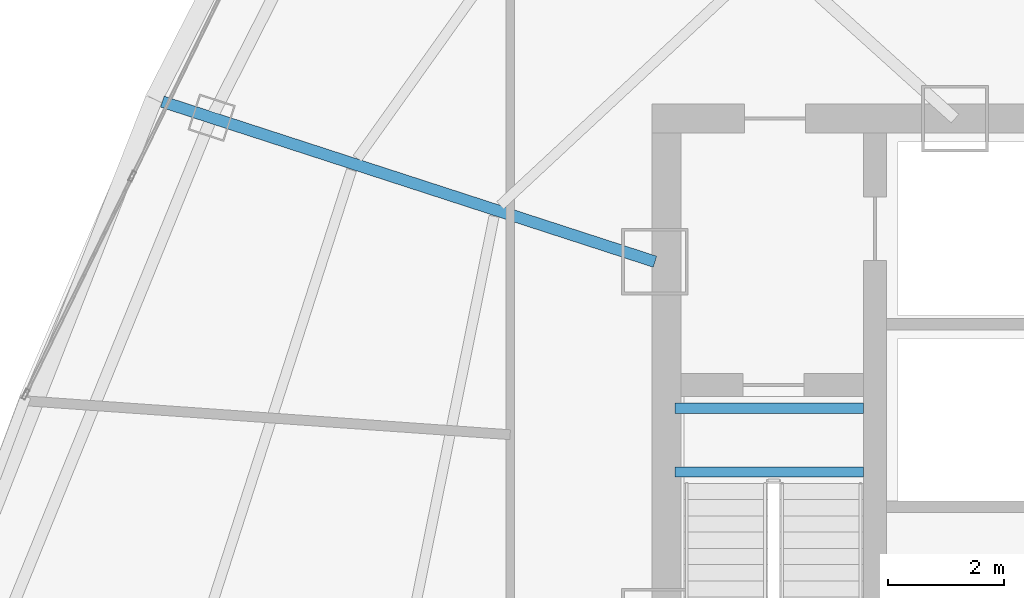
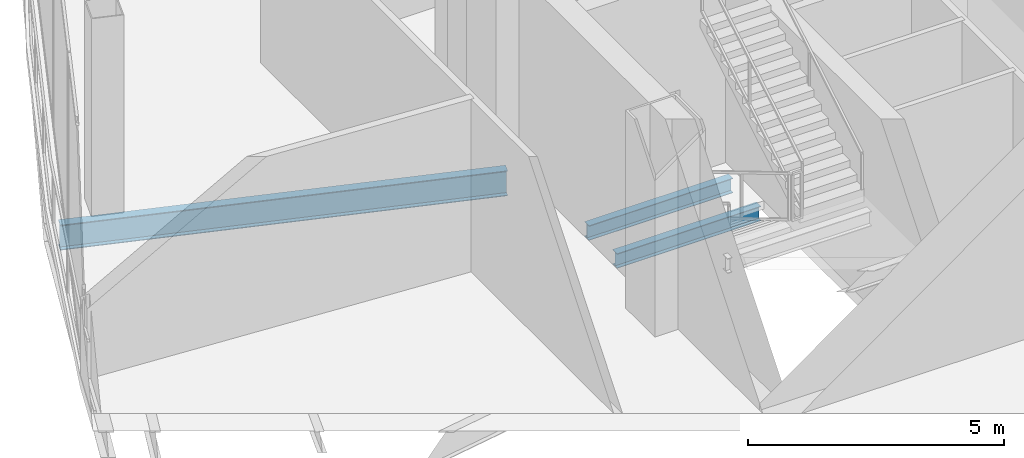
# One storey, part 7 of 33: 3 beams.
"""IFC4 building model written with IfcOpenShell, lengths in metres."""

from ifc_helpers import new_model, si_unit, direction, frame, origin, origin_2d, place, context, subcontext, project, spatial, i_section, extrude, source, transform, mapped, material, material_profile, profile_set, type_object, element, save


model = new_model("IFC4")

# Units and contexts
model_context = context("Model", 3, precision=1e-05, world=origin(), true_north=direction((0.0, 1.0)))
body_context = subcontext(model_context, "Body", "Model", "MODEL_VIEW")
ifc_project = project(units=[si_unit("LENGTHUNIT", "METRE"), si_unit("AREAUNIT", "SQUARE_METRE"), si_unit("VOLUMEUNIT", "CUBIC_METRE"), si_unit("PLANEANGLEUNIT", "RADIAN"), si_unit("MASSUNIT", "GRAM", prefix="KILO"), si_unit("THERMODYNAMICTEMPERATUREUNIT", "KELVIN"), si_unit("POWERUNIT", "WATT")], contexts=[model_context])

# Site, building, storey
site_placement = place(None, origin())
site = spatial("IfcSite", under=ifc_project, at=site_placement, CompositionType="ELEMENT")
building_placement = place(site_placement, origin())
building = spatial("IfcBuilding", under=site, at=building_placement, Name="Yunzhuo Pagoda Commons", CompositionType="ELEMENT")
storey_placement = place(building_placement, frame((0.0, 0.0, 391.760009765625)))
storey = spatial("IfcBuildingStorey", under=building, at=storey_placement, Name="L97", CompositionType="ELEMENT", Elevation=391.760009765625)

# Beams
ifc_material = material(Name="Structural steel Q355B", Category="steel")
ifc_material_profile_1 = material_profile(ifc_material, i_section(OverallWidth=0.175048828125, OverallDepth=0.35009765625, WebThickness=0.007080078125, FlangeThickness=0.010986328125, at=origin_2d()), Name="Structural steel Q355B")
ifc_profile_set_1 = profile_set([ifc_material_profile_1], Name="Structural steel Q355B")
beam_type_1 = type_object("IfcBeamType", Name="B-JS2 Joist HN 350x175x7x11", PredefinedType="JOIST", material=ifc_profile_set_1)
shared_shape_1 = source(origin(), body_context, "Body", "SweptSolid", [
    extrude(i_section(OverallWidth=0.175048828125, OverallDepth=0.35009765625, WebThickness=0.007080078125, FlangeThickness=0.010986328125, at=origin_2d()), origin(), (0.0, 0.0, 1.0), 3.25),
])
for number, where, z_axis, x_axis, name in (
    (1, (35.949951171875, 34.10009765625, -0.375), (1.0, 0.0, 0.0), (0.0, 1.0, 0.0), "L97 ST1 landing support beam 201A"),
    (2, (35.949951171875, 35.199951171875, -0.375), (1.0, 0.0, 0.0), (0.0, 1.0, 0.0), "L97 ST1 landing support beam 201B"),
):
    element("IfcBeam", number, at=place(storey_placement, frame(where, z_axis=z_axis, x_axis=x_axis)), inside=storey, type_object=beam_type_1, Name=name, PredefinedType="JOIST", context=body_context, shape_type="MappedRepresentation", body=[
        mapped(shared_shape_1, transform((0.0, 0.0, 0.0), scale=1.0)),
    ])
ifc_material_profile_2 = material_profile(ifc_material, i_section(OverallWidth=0.199951171875, OverallDepth=0.60009765625, WebThickness=0.010986328125, FlangeThickness=0.01708984375, at=origin_2d()), Name="Structural steel Q355B")
ifc_profile_set_2 = profile_set([ifc_material_profile_2], Name="Structural steel Q355B")
beam_type_2 = type_object("IfcBeamType", Name="B-RG3 Beam HN 600x200x11x17", PredefinedType="BEAM", material=ifc_profile_set_2)
shared_shape_2 = source(origin(), body_context, "Body", "SweptSolid", [
    extrude(i_section(OverallWidth=0.199951171875, OverallDepth=0.60009765625, WebThickness=0.010986328125, FlangeThickness=0.01708984375, at=origin_2d()), origin(), (0.0, 0.0, 1.0), 8.942626953125),
])
beam_placement = place(storey_placement, frame((27.09521484375, 40.492431640625, -0.580078125), z_axis=(0.951055734301, -0.309019401095, 0.0), x_axis=(0.309019401095, 0.951055734301, 0.0)))
element("IfcBeam", 3, at=beam_placement, inside=storey, type_object=beam_type_2, Name="L97 radial floor girder F3C3", PredefinedType="BEAM", context=body_context, shape_type="MappedRepresentation", body=[
    mapped(shared_shape_2, transform((0.0, 0.0, 0.0), scale=1.0)),
])

save(model, "model.ifc")
